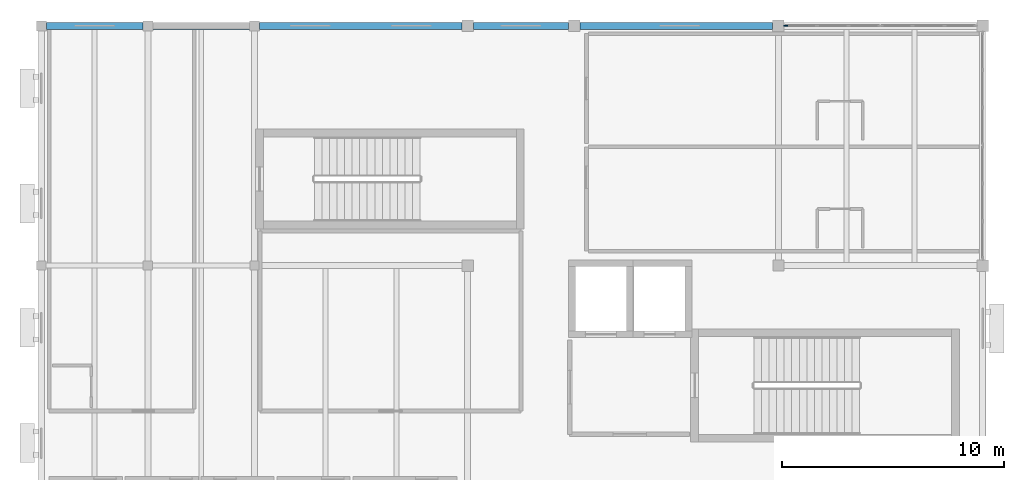
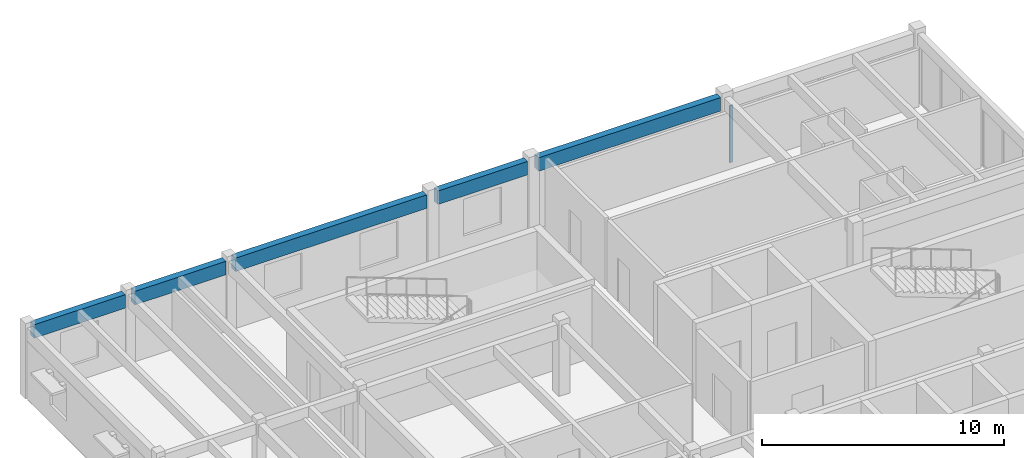
# One storey, part 4 of 22: 5 beams, 1 member, 1 element without a shape of its own.
"""IFC4 building model written with IfcOpenShell, lengths in metres."""

from ifc_helpers import new_model, si_unit, direction, frame, origin, origin_2d, place, context, subcontext, project, spatial, rectangle, extrude, material, material_profile, profile_set, type_object, element, aggregate, save


model = new_model("IFC4")

# Units and contexts
model_context = context("Model", 3, precision=1e-05, world=origin(), true_north=direction((0.0, 1.0)))
body_context = subcontext(model_context, "Body", "Model", "MODEL_VIEW")
ifc_project = project(units=[si_unit("LENGTHUNIT", "METRE"), si_unit("AREAUNIT", "SQUARE_METRE"), si_unit("VOLUMEUNIT", "CUBIC_METRE"), si_unit("PLANEANGLEUNIT", "RADIAN"), si_unit("MASSUNIT", "GRAM", prefix="KILO")], contexts=[model_context])

# Site, building, storey
site_placement = place(None, origin())
site = spatial("IfcSite", under=ifc_project, at=site_placement, CompositionType="ELEMENT")
building_placement = place(site_placement, origin())
building = spatial("IfcBuilding", under=site, at=building_placement, Name="Veldera Park Congress Hotel", CompositionType="ELEMENT")
storey_placement = place(building_placement, frame((0.0, 0.0, 23.800048828125)))
storey = spatial("IfcBuildingStorey", under=building, at=storey_placement, Name="L05", CompositionType="ELEMENT", Elevation=23.800048828125)

# Beams
ifc_material_1 = material(Name="Glulam GL28h (NDS 24F-V4)", Category="wood")
ifc_material_profile_1 = material_profile(ifc_material_1, rectangle(XDim=0.31494140625, YDim=0.679931640625, at=origin_2d()), Name="GL28h 315x680")
ifc_profile_set_1 = profile_set([ifc_material_profile_1], Name="Glulam GL28h (NDS 24F-V4)")
beam_type = type_object("IfcBeamType", Name="BM-GL640E", PredefinedType="BEAM", material=ifc_profile_set_1)
for number, where, z_axis, x_axis, name in (
    (1, (41.824951171875, 58.0, 3.2099609375), (1.0, 0.0, 0.0), (0.0, 1.0, 0.0), "L05 Girder BM-GL640E 1425"),
    (2, (46.625, 58.0, 3.2099609375), (1.0, 0.0, 0.0), (0.0, 1.0, 0.0), "L05 Girder BM-GL640E 1426"),
):
    element("IfcBeam", number, at=place(storey_placement, frame(where, z_axis=z_axis, x_axis=x_axis)), inside=storey, type_object=beam_type, Name=name, PredefinedType="BEAM", context=body_context, shape_type="SweptSolid", body=[
        extrude(rectangle(XDim=0.31494140625, YDim=0.679931640625, at=origin_2d()), origin(), (0.0, 0.0, 1.0), 4.35009765625),
    ])
beam_1_placement = place(storey_placement, frame((51.425048828125, 58.0, 3.2099609375), z_axis=(1.0, 0.0, 0.0), x_axis=(0.0, 1.0, 0.0)))
element("IfcBeam", 3, at=beam_1_placement, inside=storey, type_object=beam_type, Name="L05 Girder BM-GL640E 1427", PredefinedType="BEAM", context=body_context, shape_type="SweptSolid", body=[
    extrude(rectangle(XDim=0.31494140625, YDim=0.679931640625, at=origin_2d()), origin(), (0.0, 0.0, 1.0), 9.114990234375),
])
beam_2_placement = place(storey_placement, frame((61.06005859375, 58.0, 3.2099609375), z_axis=(1.0, 0.0, 0.0), x_axis=(0.0, 1.0, 0.0)))
element("IfcBeam", 4, at=beam_2_placement, inside=storey, type_object=beam_type, Name="L05 Girder BM-GL640E 1428", PredefinedType="BEAM", context=body_context, shape_type="SweptSolid", body=[
    extrude(rectangle(XDim=0.31494140625, YDim=0.679931640625, at=origin_2d()), origin(), (0.0, 0.0, 1.0), 4.280029296875),
])
beam_3_placement = place(storey_placement, frame((65.860107421875, 58.0, 3.2099609375), z_axis=(1.0, 0.0, 0.0), x_axis=(0.0, 1.0, 0.0)))
element("IfcBeam", 5, at=beam_3_placement, inside=storey, type_object=beam_type, Name="L05 Girder BM-GL640E 1429", PredefinedType="BEAM", context=body_context, shape_type="SweptSolid", body=[
    extrude(rectangle(XDim=0.31494140625, YDim=0.679931640625, at=origin_2d()), origin(), (0.0, 0.0, 1.0), 8.679931640625),
])

# Curtain wall, member
ifc_material_2 = material(Name="Low-E Triple Insulating Glass Unit (SHGC 0.22)", Category="glass")
curtain_wall_type = type_object("IfcCurtainWallType", Name="CW-HTL", PredefinedType="NOTDEFINED", material=ifc_material_2)
curtain_wall_placement = place(storey_placement, origin())
curtain_wall = element("IfcCurtainWall", 6, at=curtain_wall_placement, inside=storey, type_object=curtain_wall_type, Name="L05 Curtain Wall CW3-HTLNN-L05-107", PredefinedType="NOTDEFINED")
ifc_material_3 = material(Name="Anodised Aluminium Alloy 6063-T6", Category="aluminium")
ifc_material_profile_2 = material_profile(ifc_material_3, rectangle(XDim=0.06005859375, YDim=0.159912109375, at=origin_2d()), Name="ALU 60x160")
ifc_profile_set_2 = profile_set([ifc_material_profile_2], Name="Anodised Aluminium Alloy 6063-T6")
member_type = type_object("IfcMemberType", Name="CWM-160", PredefinedType="MULLION", material=ifc_profile_set_2)
member_placement = place(storey_placement, frame((75.1298828125, 58.0, 0.0), z_axis=(0.0, 0.0, 1.0), x_axis=(0.0, -1.0, 0.0)))
member = element("IfcMember", 7, at=member_placement, type_object=member_type, Name="CW-HTL mullion 4", PredefinedType="MULLION", context=body_context, shape_type="SweptSolid", body=[
    extrude(rectangle(XDim=0.06005859375, YDim=0.159912109375, at=origin_2d()), origin(), (0.0, 0.0, 1.0), 2.864990234375),
])
aggregate(curtain_wall, [member])

save(model, "model.ifc")
